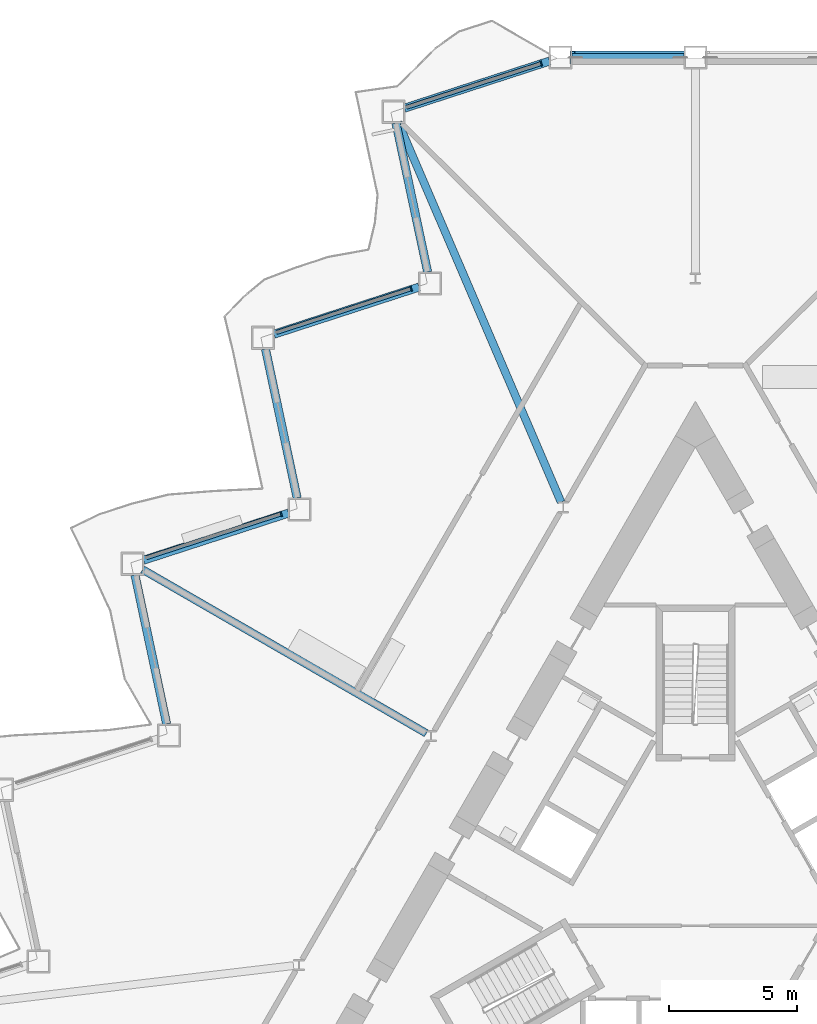
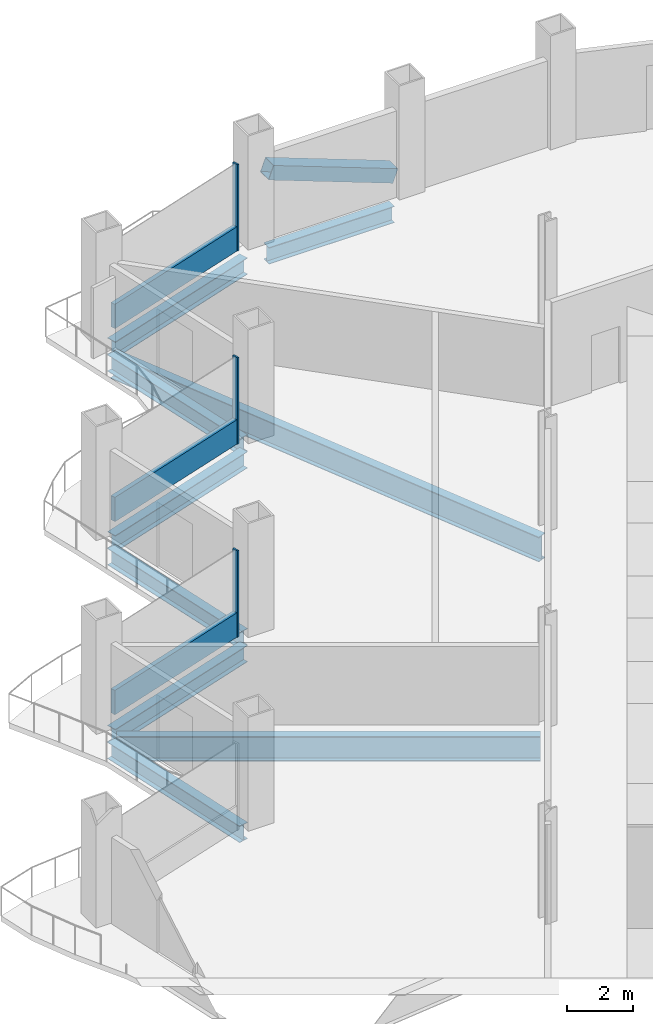
# One storey, part 7 of 21: 9 beams, 7 members, 3 elements without a shape of their own.
"""IFC4 building model written with IfcOpenShell, lengths in metres."""

from ifc_helpers import new_model, si_unit, direction, frame, origin, origin_2d, place, context, subcontext, project, spatial, rectangle, hollow_rectangle, i_section, extrude, material, layer, layer_set, material_profile, profile_set, type_object, element, aggregate, save


model = new_model("IFC4")

# Units and contexts
model_context = context("Model", 3, precision=1e-05, world=origin(), true_north=direction((0.0, 1.0)))
body_context = subcontext(model_context, "Body", "Model", "MODEL_VIEW")
ifc_project = project(units=[si_unit("LENGTHUNIT", "METRE"), si_unit("AREAUNIT", "SQUARE_METRE"), si_unit("VOLUMEUNIT", "CUBIC_METRE"), si_unit("PLANEANGLEUNIT", "RADIAN"), si_unit("MASSUNIT", "GRAM", prefix="KILO")], contexts=[model_context])

# Site, building, storey
site_placement = place(None, origin())
site = spatial("IfcSite", under=ifc_project, at=site_placement, CompositionType="ELEMENT")
building_placement = place(site_placement, origin())
building = spatial("IfcBuilding", under=site, at=building_placement, Name="Cormorant Prow Tower", CompositionType="ELEMENT")
storey_placement = place(building_placement, frame((0.0, 0.0, 150.0)))
storey = spatial("IfcBuildingStorey", under=building, at=storey_placement, Name="L32", CompositionType="ELEMENT", Elevation=150.0)

# Member
ifc_material_1 = material(Name="Structural steel ASTM A500 Gr C", Category="steel")
ifc_material_profile_1 = material_profile(ifc_material_1, hollow_rectangle(XDim=0.508056640625, YDim=0.508056640625, WallThickness=0.014892578125, at=origin_2d()), Name="HSS20x20x5/8")
ifc_profile_set_1 = profile_set([ifc_material_profile_1], Name="Structural steel ASTM A500 Gr C")
member_type_1 = type_object("IfcMemberType", Name="Chamfer brace HSS20x20x5/8", PredefinedType="BRACE", material=ifc_profile_set_1)
member_1_placement = place(storey_placement, frame((-0.4677734375, 32.487060546875, 0.776611328125), z_axis=(-0.935582009332, 0.0, 0.353109478511), x_axis=(0.0, -1.0, 0.0)))
element("IfcMember", 1, at=member_1_placement, inside=storey, type_object=member_type_1, Name="Chamfer brace BR1 at N01 L32", PredefinedType="BRACE", context=body_context, shape_type="SweptSolid", body=[
    extrude(hollow_rectangle(XDim=0.508056640625, YDim=0.508056640625, WallThickness=0.014892578125, at=origin_2d()), origin(), (0.0, 0.0, 1.0), 4.63232421875),
])

# Curtain wall, member
ifc_material_2 = material(Name="Aluminium 6063-T6", Category="aluminium")
ifc_layer = layer(ifc_material_2, 0.199951171875)
ifc_layer_set = layer_set([ifc_layer], Name="Aluminium 6063-T6")
curtain_wall_type = type_object("IfcCurtainWallType", Name="Office unitised curtain wall 200", PredefinedType="NOTDEFINED", material=ifc_layer_set)
curtain_wall_1_placement = place(storey_placement, origin())
curtain_wall_1 = element("IfcCurtainWall", 2, at=curtain_wall_1_placement, inside=storey, type_object=curtain_wall_type, Name="Office curtain wall WNW00", PredefinedType="NOTDEFINED")
ifc_material_3 = material(Name="Aluminium 6063-T6", Category="aluminium")
ifc_material_profile_2 = material_profile(ifc_material_3, rectangle(XDim=0.199951171875, YDim=0.06005859375, at=origin_2d()), Name="Office mullion 60x200")
ifc_profile_set_2 = profile_set([ifc_material_profile_2], Name="Aluminium 6063-T6")
member_type_2 = type_object("IfcMemberType", Name="Office mullion 60x200", PredefinedType="MULLION", material=ifc_profile_set_2)
member_2_placement = place(storey_placement, frame((-6.03125, 32.248291015625, 0.0), z_axis=(0.0, 0.0, 1.0), x_axis=(0.30901701036, -0.951056511101, 0.0)))
member_2 = element("IfcMember", 3, at=member_2_placement, type_object=member_type_2, Name="Office mullion WNW00", PredefinedType="MULLION", context=body_context, shape_type="SweptSolid", body=[
    extrude(rectangle(XDim=0.199951171875, YDim=0.06005859375, at=origin_2d()), origin(), (0.0, 0.0, 1.0), 3.18896484375),
])

curtain_wall_2_placement = place(storey_placement, origin())
curtain_wall_2 = element("IfcCurtainWall", 4, at=curtain_wall_2_placement, inside=storey, type_object=curtain_wall_type, Name="Office curtain wall WNW02", PredefinedType="NOTDEFINED")
member_3_placement = place(storey_placement, frame((-11.112548828125, 23.447021484375, 0.0), z_axis=(0.0, 0.0, 1.0), x_axis=(0.30901701036, -0.951056511101, 0.0)))
member_3 = element("IfcMember", 5, at=member_3_placement, type_object=member_type_2, Name="Office mullion WNW02", PredefinedType="MULLION", context=body_context, shape_type="SweptSolid", body=[
    extrude(rectangle(XDim=0.199951171875, YDim=0.06005859375, at=origin_2d()), origin(), (0.0, 0.0, 1.0), 3.18896484375),
])

curtain_wall_3_placement = place(storey_placement, origin())
curtain_wall_3 = element("IfcCurtainWall", 6, at=curtain_wall_3_placement, inside=storey, type_object=curtain_wall_type, Name="Office curtain wall WNW04", PredefinedType="NOTDEFINED")
member_4_placement = place(storey_placement, frame((-16.194091796875, 14.645751953125, 0.0), z_axis=(0.0, 0.0, 1.0), x_axis=(0.30901701036, -0.951056511101, 0.0)))
member_4 = element("IfcMember", 7, at=member_4_placement, type_object=member_type_2, Name="Office mullion WNW04", PredefinedType="MULLION", context=body_context, shape_type="SweptSolid", body=[
    extrude(rectangle(XDim=0.199951171875, YDim=0.06005859375, at=origin_2d()), origin(), (0.0, 0.0, 1.0), 3.18896484375),
])

# Member
ifc_material_4 = material(Name="Terracotta", Category="masonry")
ifc_material_profile_3 = material_profile(ifc_material_4, rectangle(XDim=0.159912109375, YDim=0.89990234375, at=origin_2d()), Name="Office terracotta spandrel rail 160x900")
ifc_profile_set_3 = profile_set([ifc_material_profile_3], Name="Terracotta")
member_type_3 = type_object("IfcMemberType", Name="Office terracotta spandrel rail 160x900", PredefinedType="USERDEFINED", material=ifc_profile_set_3)
member_5_placement = place(storey_placement, frame((-6.059814453125, 32.239013671875, 0.449951171875), z_axis=(-0.951054921763, -0.309021901798, 0.0), x_axis=(0.309021901798, -0.951054921763, 0.0)))
member_5 = element("IfcMember", 8, at=member_5_placement, type_object=member_type_3, Name="Office spandrel rail WNW00", ObjectType="TRANSOM", PredefinedType="USERDEFINED", context=body_context, shape_type="SweptSolid", body=[
    extrude(rectangle(XDim=0.159912109375, YDim=0.89990234375, at=origin_2d()), origin(), (0.0, 0.0, 1.0), 5.505859375),
])

aggregate(curtain_wall_1, [member_2, member_5])

member_6_placement = place(storey_placement, frame((-11.14111328125, 23.437744140625, 0.449951171875), z_axis=(-0.951054921763, -0.309021901798, 0.0), x_axis=(0.309021901798, -0.951054921763, 0.0)))
member_6 = element("IfcMember", 9, at=member_6_placement, type_object=member_type_3, Name="Office spandrel rail WNW02", ObjectType="TRANSOM", PredefinedType="USERDEFINED", context=body_context, shape_type="SweptSolid", body=[
    extrude(rectangle(XDim=0.159912109375, YDim=0.89990234375, at=origin_2d()), origin(), (0.0, 0.0, 1.0), 5.505859375),
])

aggregate(curtain_wall_2, [member_3, member_6])

member_7_placement = place(storey_placement, frame((-16.22265625, 14.636474609375, 0.449951171875), z_axis=(-0.951054921763, -0.309021901798, 0.0), x_axis=(0.309021901798, -0.951054921763, 0.0)))
member_7 = element("IfcMember", 10, at=member_7_placement, type_object=member_type_3, Name="Office spandrel rail WNW04", ObjectType="TRANSOM", PredefinedType="USERDEFINED", context=body_context, shape_type="SweptSolid", body=[
    extrude(rectangle(XDim=0.159912109375, YDim=0.89990234375, at=origin_2d()), origin(), (0.0, 0.0, 1.0), 5.505859375),
])

aggregate(curtain_wall_3, [member_4, member_7])

# Beams
ifc_material_5 = material(Name="Structural steel ASTM A992 Gr 50", Category="steel")
ifc_material_profile_4 = material_profile(ifc_material_5, i_section(OverallWidth=0.3046875, OverallDepth=0.914794921875, WebThickness=0.0166015625, FlangeThickness=0.02587890625, at=origin_2d()), Name="W36x160")
ifc_profile_set_4 = profile_set([ifc_material_profile_4], Name="Structural steel ASTM A992 Gr 50")
beam_type_1 = type_object("IfcBeamType", Name="Radial floor beam W36x160", PredefinedType="BEAM", material=ifc_profile_set_4)
beam_1_placement = place(storey_placement, frame((-5.25, 15.107666015625, -0.857421875), z_axis=(-0.394273140268, 0.918993302948, 0.0), x_axis=(-0.918993302948, -0.394273140268, 0.0)))
element("IfcBeam", 11, at=beam_1_placement, inside=storey, type_object=beam_type_1, Name="Radial floor beam FB1 2 L32", PredefinedType="BEAM", context=body_context, shape_type="SweptSolid", body=[
    extrude(i_section(OverallWidth=0.3046875, OverallDepth=0.914794921875, WebThickness=0.0166015625, FlangeThickness=0.02587890625, at=origin_2d()), origin(), (0.0, 0.0, 1.0), 16.153564453125),
])
beam_2_placement = place(storey_placement, frame((-10.516845703125, 6.07177734375, -0.857421875), z_axis=(-0.866021760006, 0.500006311156, 0.0), x_axis=(-0.500006311156, -0.866021760006, 0.0)))
element("IfcBeam", 12, at=beam_2_placement, inside=storey, type_object=beam_type_1, Name="Radial floor beam FB1 3 L32", PredefinedType="BEAM", context=body_context, shape_type="SweptSolid", body=[
    extrude(i_section(OverallWidth=0.3046875, OverallDepth=0.914794921875, WebThickness=0.0166015625, FlangeThickness=0.02587890625, at=origin_2d()), origin(), (0.0, 0.0, 1.0), 12.805419921875),
])
ifc_material_6 = material(Name="Structural steel ASTM A992 Gr 50", Category="steel")
ifc_material_profile_5 = material_profile(ifc_material_6, i_section(OverallWidth=0.32373046875, OverallDepth=0.611083984375, WebThickness=0.0126953125, FlangeThickness=0.01904296875, at=origin_2d()), Name="W24x104")
ifc_profile_set_5 = profile_set([ifc_material_profile_5], Name="Structural steel ASTM A992 Gr 50")
beam_type_2 = type_object("IfcBeamType", Name="Spandrel beam W24x104", PredefinedType="SPANDREL", material=ifc_profile_set_5)
beam_3_placement = place(storey_placement, frame((-0.449951171875, 32.487060546875, -0.70556640625), z_axis=(-1.0, 0.0, 0.0), x_axis=(0.0, -1.0, 0.0)))
element("IfcBeam", 13, at=beam_3_placement, inside=storey, type_object=beam_type_2, Name="Spandrel beam SB1 N01-WNW00 L32", PredefinedType="SPANDREL", context=body_context, shape_type="SweptSolid", body=[
    extrude(i_section(OverallWidth=0.32373046875, OverallDepth=0.611083984375, WebThickness=0.0126953125, FlangeThickness=0.01904296875, at=origin_2d()), origin(), (0.0, 0.0, 1.0), 4.36962890625),
])
beam_4_placement = place(storey_placement, frame((-5.69775390625, 32.347900390625, -0.70556640625), z_axis=(-0.951055430656, -0.309020335608, 0.0), x_axis=(0.309020335608, -0.951055430656, 0.0)))
element("IfcBeam", 14, at=beam_4_placement, inside=storey, type_object=beam_type_2, Name="Spandrel beam SB1 WNW00-WNW01 L32", PredefinedType="SPANDREL", context=body_context, shape_type="SweptSolid", body=[
    extrude(i_section(OverallWidth=0.32373046875, OverallDepth=0.611083984375, WebThickness=0.0126953125, FlangeThickness=0.01904296875, at=origin_2d()), origin(), (0.0, 0.0, 1.0), 5.96240234375),
])
beam_5_placement = place(storey_placement, frame((-11.702880859375, 29.926025390625, -0.70556640625), z_axis=(0.207920947907, -0.978145633033, 0.0), x_axis=(0.978145633033, 0.207920947907, 0.0)))
element("IfcBeam", 15, at=beam_5_placement, inside=storey, type_object=beam_type_2, Name="Spandrel beam SB1 WNW01-WNW02 L32", PredefinedType="SPANDREL", context=body_context, shape_type="SweptSolid", body=[
    extrude(i_section(OverallWidth=0.32373046875, OverallDepth=0.611083984375, WebThickness=0.0126953125, FlangeThickness=0.01904296875, at=origin_2d()), origin(), (0.0, 0.0, 1.0), 5.962646484375),
])
beam_6_placement = place(storey_placement, frame((-10.797607421875, 23.5146484375, -0.70556640625), z_axis=(-0.95104730696, -0.309045336358, 0.0), x_axis=(0.309045336358, -0.95104730696, 0.0)))
element("IfcBeam", 16, at=beam_6_placement, inside=storey, type_object=beam_type_2, Name="Spandrel beam SB1 WNW02-WNW03 L32", PredefinedType="SPANDREL", context=body_context, shape_type="SweptSolid", body=[
    extrude(i_section(OverallWidth=0.32373046875, OverallDepth=0.611083984375, WebThickness=0.0126953125, FlangeThickness=0.01904296875, at=origin_2d()), origin(), (0.0, 0.0, 1.0), 5.962890625),
])
for number, where, z_axis, x_axis, name in (
    (17, (-16.802734375, 21.0927734375, -0.70556640625), (0.207920947907, -0.978145633033, 0.0), (0.978145633033, 0.207920947907, 0.0), "Spandrel beam SB1 WNW03-WNW04 L32"),
    (18, (-15.8974609375, 14.68115234375, -0.70556640625), (-0.951059340519, -0.309008302174, 0.0), (0.309008302174, -0.951059340519, 0.0), "Spandrel beam SB1 WNW04-WNW05 L32"),
):
    element("IfcBeam", number, at=place(storey_placement, frame(where, z_axis=z_axis, x_axis=x_axis)), inside=storey, type_object=beam_type_2, Name=name, PredefinedType="SPANDREL", context=body_context, shape_type="SweptSolid", body=[
        extrude(i_section(OverallWidth=0.32373046875, OverallDepth=0.611083984375, WebThickness=0.0126953125, FlangeThickness=0.01904296875, at=origin_2d()), origin(), (0.0, 0.0, 1.0), 5.962646484375),
    ])
beam_7_placement = place(storey_placement, frame((-21.90283203125, 12.259521484375, -0.70556640625), z_axis=(0.207912620873, -0.978147403044, 0.0), x_axis=(0.978147403044, 0.207912620873, 0.0)))
element("IfcBeam", 19, at=beam_7_placement, inside=storey, type_object=beam_type_2, Name="Spandrel beam SB1 WNW05-WNW06 L32", PredefinedType="SPANDREL", context=body_context, shape_type="SweptSolid", body=[
    extrude(i_section(OverallWidth=0.32373046875, OverallDepth=0.611083984375, WebThickness=0.0126953125, FlangeThickness=0.01904296875, at=origin_2d()), origin(), (0.0, 0.0, 1.0), 5.962890625),
])

save(model, "model.ifc")
